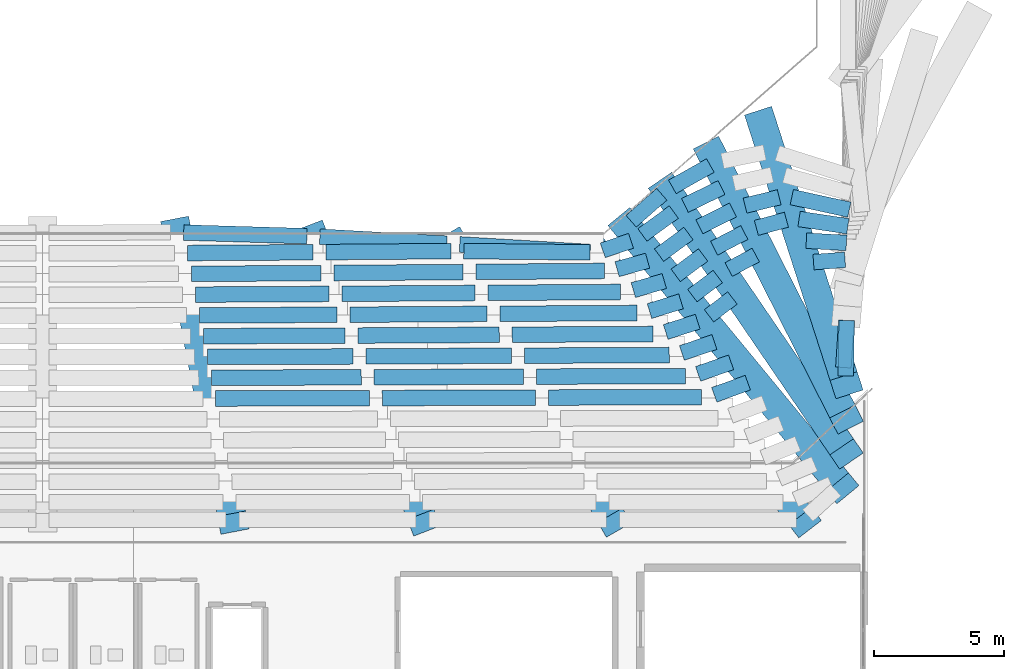
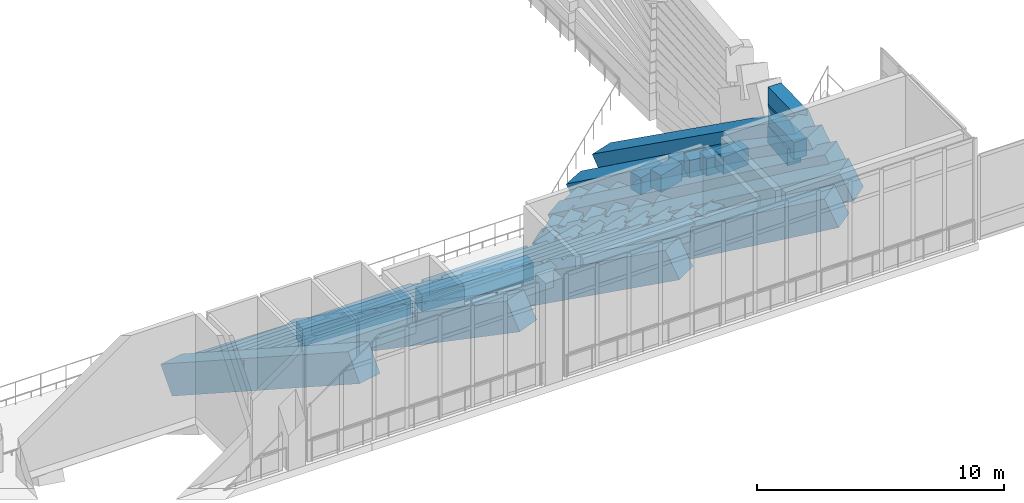
# One storey, part 15 of 55: 65 beams.
"""IFC4 building model written with IfcOpenShell, lengths in metres."""

from ifc_helpers import new_model, si_unit, derived_unit, direction, frame, origin, origin_2d, place, context, subcontext, project, spatial, rectangle, extrude, material, material_profile, profile_set, type_object, element, save


model = new_model("IFC4")

# Units and contexts
model_context = context("Model", 3, precision=1e-05, world=origin(), true_north=direction((0.0, 1.0)))
body_context = subcontext(model_context, "Body", "Model", "MODEL_VIEW")
ifc_project = project(units=[si_unit("LENGTHUNIT", "METRE"), si_unit("AREAUNIT", "SQUARE_METRE"), si_unit("VOLUMEUNIT", "CUBIC_METRE"), si_unit("PLANEANGLEUNIT", "RADIAN"), si_unit("MASSUNIT", "GRAM", prefix="KILO"), derived_unit("THERMALTRANSMITTANCEUNIT", [(si_unit("MASSUNIT", "GRAM", prefix="KILO"), 1), (si_unit("TIMEUNIT", "SECOND"), -3), (si_unit("THERMODYNAMICTEMPERATUREUNIT", "KELVIN"), -1)])], contexts=[model_context])

# Site, building, storey
site_placement = place(None, origin())
site = spatial("IfcSite", under=ifc_project, at=site_placement, CompositionType="ELEMENT")
building_placement = place(site_placement, origin())
building = spatial("IfcBuilding", under=site, at=building_placement, Name="Valcora Ridge Arena", CompositionType="ELEMENT")
storey_placement = place(building_placement, frame((0.0, 0.0, 21.0)))
storey = spatial("IfcBuildingStorey", under=building, at=storey_placement, Name="L04", CompositionType="ELEMENT", Elevation=21.0)

# Beams
ifc_material_1 = material(Name="Concrete C40/50", Category="concrete")
ifc_material_profile_1 = material_profile(ifc_material_1, rectangle(XDim=0.60009765625, YDim=0.85009765625, at=origin_2d()), Name="RC 600x850")
ifc_profile_set_1 = profile_set([ifc_material_profile_1], Name="Concrete C40/50")
beam_type_1 = type_object("IfcBeamType", Name="TY-BEAM-B-RC600-X", PredefinedType="BEAM", material=ifc_profile_set_1)
beam_1_placement = place(storey_placement, frame((63.44091796875, 38.487060546875, -8.22509765625), z_axis=(0.999569750047, -0.029331123248, 0.0), x_axis=(0.029331123248, 0.999569750047, 0.0)))
element("IfcBeam", 1, at=beam_1_placement, inside=storey, type_object=beam_type_1, Name="B-RC600-X BEM-RU3-B-RC600-X-0012", PredefinedType="BEAM", context=body_context, shape_type="SweptSolid", body=[
    extrude(rectangle(XDim=0.60009765625, YDim=0.85009765625, at=origin_2d()), origin(), (0.0, 0.0, 1.0), 4.752685546875),
])
beam_2_placement = place(storey_placement, frame((68.691162109375, 38.32666015625, -8.22509765625), z_axis=(0.998486603928, -0.054995470502, 0.0), x_axis=(0.054995470502, 0.998486603928, 0.0)))
element("IfcBeam", 2, at=beam_2_placement, inside=storey, type_object=beam_type_1, Name="B-RC600-X BEM-RU3-B-RC600-X-0013", PredefinedType="BEAM", context=body_context, shape_type="SweptSolid", body=[
    extrude(rectangle(XDim=0.60009765625, YDim=0.85009765625, at=origin_2d()), origin(), (0.0, 0.0, 1.0), 4.90087890625),
])
beam_3_placement = place(storey_placement, frame((74.083984375, 38.028564453125, -8.22509765625), z_axis=(0.998276711719, -0.058682253186, 0.0), x_axis=(0.058682253186, 0.998276711719, 0.0)))
element("IfcBeam", 3, at=beam_3_placement, inside=storey, type_object=beam_type_1, Name="B-RC600-X BEM-RU3-B-RC600-X-0014", PredefinedType="BEAM", context=body_context, shape_type="SweptSolid", body=[
    extrude(rectangle(XDim=0.60009765625, YDim=0.85009765625, at=origin_2d()), origin(), (0.0, 0.0, 1.0), 5.038330078125),
])
beam_4_placement = place(storey_placement, frame((80.693359375, 38.922607421875, -8.22509765625), z_axis=(0.751873918572, 0.659306916823, 0.0), x_axis=(-0.659306916823, 0.751873918572, 0.0)))
element("IfcBeam", 4, at=beam_4_placement, inside=storey, type_object=beam_type_1, Name="B-RC600-X BEM-RU3-B-RC600-X-0015", PredefinedType="BEAM", context=body_context, shape_type="SweptSolid", body=[
    extrude(rectangle(XDim=0.60009765625, YDim=0.85009765625, at=origin_2d()), origin(), (0.0, 0.0, 1.0), 1.572021484375),
])
beam_5_placement = place(storey_placement, frame((82.28125, 40.24658203125, -8.22509765625), z_axis=(0.871567775665, 0.490275037528, 0.0), x_axis=(-0.490275037528, 0.871567775665, 0.0)))
element("IfcBeam", 5, at=beam_5_placement, inside=storey, type_object=beam_type_1, Name="B-RC600-X BEM-RU3-B-RC600-X-0016", PredefinedType="BEAM", context=body_context, shape_type="SweptSolid", body=[
    extrude(rectangle(XDim=0.60009765625, YDim=0.85009765625, at=origin_2d()), origin(), (0.0, 0.0, 1.0), 1.68017578125),
])
beam_6_placement = place(storey_placement, frame((63.595703125, 37.69482421875, -7.7451171875), z_axis=(0.999978762062, 0.006517317249, 0.0), x_axis=(-0.006517317249, 0.999978762062, 0.0)))
element("IfcBeam", 6, at=beam_6_placement, inside=storey, type_object=beam_type_1, Name="B-RC600-X BEM-RU3-B-RC600-X-0060", PredefinedType="BEAM", context=body_context, shape_type="SweptSolid", body=[
    extrude(rectangle(XDim=0.60009765625, YDim=0.85009765625, at=origin_2d()), origin(), (0.0, 0.0, 1.0), 4.832275390625),
])
beam_7_placement = place(storey_placement, frame((68.927978515625, 37.72998046875, -7.7451171875), z_axis=(0.999964118208, 0.008471263011, 0.0), x_axis=(-0.008471263011, 0.999964118208, 0.0)))
element("IfcBeam", 7, at=beam_7_placement, inside=storey, type_object=beam_type_1, Name="B-RC600-X BEM-RU3-B-RC600-X-0061", PredefinedType="BEAM", context=body_context, shape_type="SweptSolid", body=[
    extrude(rectangle(XDim=0.60009765625, YDim=0.85009765625, at=origin_2d()), origin(), (0.0, 0.0, 1.0), 4.81298828125),
])
beam_8_placement = place(storey_placement, frame((74.24072265625, 37.770263671875, -7.7451171875), z_axis=(0.999948270549, -0.010171343334, 0.0), x_axis=(0.010171343334, 0.999948270549, 0.0)))
element("IfcBeam", 8, at=beam_8_placement, inside=storey, type_object=beam_type_1, Name="B-RC600-X BEM-RU3-B-RC600-X-0062", PredefinedType="BEAM", context=body_context, shape_type="SweptSolid", body=[
    extrude(rectangle(XDim=0.60009765625, YDim=0.85009765625, at=origin_2d()), origin(), (0.0, 0.0, 1.0), 4.87255859375),
])
beam_9_placement = place(storey_placement, frame((79.599853515625, 37.798583984375, -7.7451171875), z_axis=(0.947099805881, 0.320939180688, 0.0), x_axis=(-0.320939180688, 0.947099805881, 0.0)))
element("IfcBeam", 9, at=beam_9_placement, inside=storey, type_object=beam_type_1, Name="B-RC600-X BEM-RU3-B-RC600-X-0063", PredefinedType="BEAM", context=body_context, shape_type="SweptSolid", body=[
    extrude(rectangle(XDim=0.60009765625, YDim=0.85009765625, at=origin_2d()), origin(), (0.0, 0.0, 1.0), 1.1494140625),
])
beam_10_placement = place(storey_placement, frame((81.12744140625, 38.394775390625, -7.7451171875), z_axis=(0.808848831066, 0.588016639631, 0.0), x_axis=(-0.588016639631, 0.808848831066, 0.0)))
element("IfcBeam", 10, at=beam_10_placement, inside=storey, type_object=beam_type_1, Name="B-RC600-X BEM-RU3-B-RC600-X-0064", PredefinedType="BEAM", context=body_context, shape_type="SweptSolid", body=[
    extrude(rectangle(XDim=0.60009765625, YDim=0.85009765625, at=origin_2d()), origin(), (0.0, 0.0, 1.0), 1.498046875),
])
beam_11_placement = place(storey_placement, frame((82.76611328125, 39.531982421875, -7.7451171875), z_axis=(0.89916563474, 0.437608456617, 0.0), x_axis=(-0.437608456617, 0.89916563474, 0.0)))
element("IfcBeam", 11, at=beam_11_placement, inside=storey, type_object=beam_type_1, Name="B-RC600-X BEM-RU3-B-RC600-X-0065", PredefinedType="BEAM", context=body_context, shape_type="SweptSolid", body=[
    extrude(rectangle(XDim=0.60009765625, YDim=0.85009765625, at=origin_2d()), origin(), (0.0, 0.0, 1.0), 1.56982421875),
])
beam_12_placement = place(storey_placement, frame((63.75, 36.893798828125, -7.264892578125), z_axis=(0.99998332037, 0.005775723534, 0.0), x_axis=(-0.005775723534, 0.99998332037, 0.0)))
element("IfcBeam", 12, at=beam_12_placement, inside=storey, type_object=beam_type_1, Name="B-RC600-X BEM-RU3-B-RC600-X-0111", PredefinedType="BEAM", context=body_context, shape_type="SweptSolid", body=[
    extrude(rectangle(XDim=0.60009765625, YDim=0.85009765625, at=origin_2d()), origin(), (0.0, 0.0, 1.0), 4.98779296875),
])
beam_13_placement = place(storey_placement, frame((69.23779296875, 36.926025390625, -7.264892578125), z_axis=(0.999971386878, 0.007564748911, 0.0), x_axis=(-0.007564748911, 0.999971386878, 0.0)))
element("IfcBeam", 13, at=beam_13_placement, inside=storey, type_object=beam_type_1, Name="B-RC600-X BEM-RU3-B-RC600-X-0112", PredefinedType="BEAM", context=body_context, shape_type="SweptSolid", body=[
    extrude(rectangle(XDim=0.60009765625, YDim=0.85009765625, at=origin_2d()), origin(), (0.0, 0.0, 1.0), 4.97021484375),
])
beam_14_placement = place(storey_placement, frame((74.707763671875, 36.967529296875, -7.264892578125), z_axis=(0.999970825227, 0.007638631803, 0.0), x_axis=(-0.007638631803, 0.999970825227, 0.0)))
element("IfcBeam", 14, at=beam_14_placement, inside=storey, type_object=beam_type_1, Name="B-RC600-X BEM-RU3-B-RC600-X-0113", PredefinedType="BEAM", context=body_context, shape_type="SweptSolid", body=[
    extrude(rectangle(XDim=0.60009765625, YDim=0.85009765625, at=origin_2d()), origin(), (0.0, 0.0, 1.0), 4.9541015625),
])
beam_15_placement = place(storey_placement, frame((80.15234375, 37.07421875, -7.264892578125), z_axis=(0.963618234463, 0.267282431541, 0.0), x_axis=(-0.267282431541, 0.963618234463, 0.0)))
element("IfcBeam", 15, at=beam_15_placement, inside=storey, type_object=beam_type_1, Name="B-RC600-X BEM-RU3-B-RC600-X-0114", PredefinedType="BEAM", context=body_context, shape_type="SweptSolid", body=[
    extrude(rectangle(XDim=0.60009765625, YDim=0.85009765625, at=origin_2d()), origin(), (0.0, 0.0, 1.0), 1.219482421875),
])
beam_16_placement = place(storey_placement, frame((81.77001953125, 37.614990234375, -7.264892578125), z_axis=(0.806040655249, 0.591860171059, 0.0), x_axis=(-0.591860171059, 0.806040655249, 0.0)))
element("IfcBeam", 16, at=beam_16_placement, inside=storey, type_object=beam_type_1, Name="B-RC600-X BEM-RU3-B-RC600-X-0115", PredefinedType="BEAM", context=body_context, shape_type="SweptSolid", body=[
    extrude(rectangle(XDim=0.60009765625, YDim=0.85009765625, at=origin_2d()), origin(), (0.0, 0.0, 1.0), 1.406494140625),
])
beam_17_placement = place(storey_placement, frame((83.3291015625, 38.707275390625, -7.264892578125), z_axis=(0.894257727757, 0.447552361571, 0.0), x_axis=(-0.447552361571, 0.894257727757, 0.0)))
element("IfcBeam", 17, at=beam_17_placement, inside=storey, type_object=beam_type_1, Name="B-RC600-X BEM-RU3-B-RC600-X-0116", PredefinedType="BEAM", context=body_context, shape_type="SweptSolid", body=[
    extrude(rectangle(XDim=0.60009765625, YDim=0.85009765625, at=origin_2d()), origin(), (0.0, 0.0, 1.0), 1.441162109375),
])
beam_18_placement = place(storey_placement, frame((85.084228515625, 39.523681640625, -7.264892578125), z_axis=(0.971224212148, 0.238167020675, 0.0), x_axis=(-0.238167020675, 0.971224212148, 0.0)))
element("IfcBeam", 18, at=beam_18_placement, inside=storey, type_object=beam_type_1, Name="B-RC600-X BEM-RU3-B-RC600-X-0117", PredefinedType="BEAM", context=body_context, shape_type="SweptSolid", body=[
    extrude(rectangle(XDim=0.60009765625, YDim=0.85009765625, at=origin_2d()), origin(), (0.0, 0.0, 1.0), 1.355224609375),
])
beam_19_placement = place(storey_placement, frame((86.887451171875, 39.8525390625, -7.264892578125), z_axis=(0.976900017396, -0.213696878805, 0.0), x_axis=(0.213696878805, 0.976900017396, 0.0)))
element("IfcBeam", 19, at=beam_19_placement, inside=storey, type_object=beam_type_1, Name="B-RC600-X BEM-RU3-B-RC600-X-0118", PredefinedType="BEAM", context=body_context, shape_type="SweptSolid", body=[
    extrude(rectangle(XDim=0.60009765625, YDim=0.85009765625, at=origin_2d()), origin(), (0.0, 0.0, 1.0), 2.271240234375),
])
beam_20_placement = place(storey_placement, frame((63.904541015625, 36.092529296875, -6.784912109375), z_axis=(0.999986615292, 0.005173899514, 0.0), x_axis=(-0.005173899514, 0.999986615292, 0.0)))
element("IfcBeam", 20, at=beam_20_placement, inside=storey, type_object=beam_type_1, Name="B-RC600-X BEM-RU3-B-RC600-X-0161", PredefinedType="BEAM", context=body_context, shape_type="SweptSolid", body=[
    extrude(rectangle(XDim=0.60009765625, YDim=0.85009765625, at=origin_2d()), origin(), (0.0, 0.0, 1.0), 5.143310546875),
])
beam_21_placement = place(storey_placement, frame((69.5478515625, 36.122314453125, -6.784912109375), z_axis=(0.999977459946, 0.006714134374, 0.0), x_axis=(-0.006714134374, 0.999977459946, 0.0)))
element("IfcBeam", 21, at=beam_21_placement, inside=storey, type_object=beam_type_1, Name="B-RC600-X BEM-RU3-B-RC600-X-0162", PredefinedType="BEAM", context=body_context, shape_type="SweptSolid", body=[
    extrude(rectangle(XDim=0.60009765625, YDim=0.85009765625, at=origin_2d()), origin(), (0.0, 0.0, 1.0), 5.126953125),
])
beam_22_placement = place(storey_placement, frame((75.1748046875, 36.16015625, -6.784912109375), z_axis=(0.999976680727, 0.006829202223, 0.0), x_axis=(-0.006829202223, 0.999976680727, 0.0)))
element("IfcBeam", 22, at=beam_22_placement, inside=storey, type_object=beam_type_1, Name="B-RC600-X BEM-RU3-B-RC600-X-0163", PredefinedType="BEAM", context=body_context, shape_type="SweptSolid", body=[
    extrude(rectangle(XDim=0.60009765625, YDim=0.85009765625, at=origin_2d()), origin(), (0.0, 0.0, 1.0), 5.112060546875),
])
beam_23_placement = place(storey_placement, frame((80.77685546875, 36.266845703125, -6.784912109375), z_axis=(0.959848260942, 0.280519724739, 0.0), x_axis=(-0.280519724739, 0.959848260942, 0.0)))
element("IfcBeam", 23, at=beam_23_placement, inside=storey, type_object=beam_type_1, Name="B-RC600-X BEM-RU3-B-RC600-X-0164", PredefinedType="BEAM", context=body_context, shape_type="SweptSolid", body=[
    extrude(rectangle(XDim=0.60009765625, YDim=0.85009765625, at=origin_2d()), origin(), (0.0, 0.0, 1.0), 1.24462890625),
])
beam_24_placement = place(storey_placement, frame((82.412109375, 36.835205078125, -6.784912109375), z_axis=(0.803106621229, 0.595835342136, 0.0), x_axis=(-0.595835342136, 0.803106621229, 0.0)))
element("IfcBeam", 24, at=beam_24_placement, inside=storey, type_object=beam_type_1, Name="B-RC600-X BEM-RU3-B-RC600-X-0165", PredefinedType="BEAM", context=body_context, shape_type="SweptSolid", body=[
    extrude(rectangle(XDim=0.60009765625, YDim=0.85009765625, at=origin_2d()), origin(), (0.0, 0.0, 1.0), 1.315673828125),
])
beam_25_placement = place(storey_placement, frame((83.8916015625, 37.8828125, -6.784912109375), z_axis=(0.888398102604, 0.459073862564, 0.0), x_axis=(-0.459073862564, 0.888398102604, 0.0)))
element("IfcBeam", 25, at=beam_25_placement, inside=storey, type_object=beam_type_1, Name="B-RC600-X BEM-RU3-B-RC600-X-0166", PredefinedType="BEAM", context=body_context, shape_type="SweptSolid", body=[
    extrude(rectangle(XDim=0.60009765625, YDim=0.85009765625, at=origin_2d()), origin(), (0.0, 0.0, 1.0), 1.31298828125),
])
beam_26_placement = place(storey_placement, frame((85.521240234375, 38.665771484375, -6.784912109375), z_axis=(0.964895151549, 0.262635387023, 0.0), x_axis=(-0.262635387023, 0.964895151549, 0.0)))
element("IfcBeam", 26, at=beam_26_placement, inside=storey, type_object=beam_type_1, Name="B-RC600-X BEM-RU3-B-RC600-X-0167", PredefinedType="BEAM", context=body_context, shape_type="SweptSolid", body=[
    extrude(rectangle(XDim=0.60009765625, YDim=0.85009765625, at=origin_2d()), origin(), (0.0, 0.0, 1.0), 1.2001953125),
])
beam_27_placement = place(storey_placement, frame((87.167724609375, 39.009765625, -6.784912109375), z_axis=(0.989108867019, -0.147185764202, 0.0), x_axis=(0.147185764202, 0.989108867019, 0.0)))
element("IfcBeam", 27, at=beam_27_placement, inside=storey, type_object=beam_type_1, Name="B-RC600-X BEM-RU3-B-RC600-X-0168", PredefinedType="BEAM", context=body_context, shape_type="SweptSolid", body=[
    extrude(rectangle(XDim=0.60009765625, YDim=0.85009765625, at=origin_2d()), origin(), (0.0, 0.0, 1.0), 1.902587890625),
])
beam_28_placement = place(storey_placement, frame((64.05908203125, 35.291259765625, -6.304931640625), z_axis=(0.999989385891, 0.004607396728, 0.0), x_axis=(-0.004607396728, 0.999989385891, 0.0)))
element("IfcBeam", 28, at=beam_28_placement, inside=storey, type_object=beam_type_1, Name="B-RC600-X BEM-RU3-B-RC600-X-0206", PredefinedType="BEAM", context=body_context, shape_type="SweptSolid", body=[
    extrude(rectangle(XDim=0.60009765625, YDim=0.85009765625, at=origin_2d()), origin(), (0.0, 0.0, 1.0), 5.298828125),
])
beam_29_placement = place(storey_placement, frame((69.85791015625, 35.318359375, -6.304931640625), z_axis=(0.999982237547, 0.005960250827, 0.0), x_axis=(-0.005960250827, 0.999982237547, 0.0)))
element("IfcBeam", 29, at=beam_29_placement, inside=storey, type_object=beam_type_1, Name="B-RC600-X BEM-RU3-B-RC600-X-0207", PredefinedType="BEAM", context=body_context, shape_type="SweptSolid", body=[
    extrude(rectangle(XDim=0.60009765625, YDim=0.85009765625, at=origin_2d()), origin(), (0.0, 0.0, 1.0), 5.283935546875),
])
beam_30_placement = place(storey_placement, frame((75.641845703125, 35.352783203125, -6.304931640625), z_axis=(0.99998186739, 0.006022033759, 0.0), x_axis=(-0.006022033759, 0.99998186739, 0.0)))
element("IfcBeam", 30, at=beam_30_placement, inside=storey, type_object=beam_type_1, Name="B-RC600-X BEM-RU3-B-RC600-X-0208", PredefinedType="BEAM", context=body_context, shape_type="SweptSolid", body=[
    extrude(rectangle(XDim=0.60009765625, YDim=0.85009765625, at=origin_2d()), origin(), (0.0, 0.0, 1.0), 5.270263671875),
])
beam_31_placement = place(storey_placement, frame((81.401123046875, 35.45947265625, -6.304931640625), z_axis=(0.956019721156, 0.293302391332, 0.0), x_axis=(-0.293302391332, 0.956019721156, 0.0)))
element("IfcBeam", 31, at=beam_31_placement, inside=storey, type_object=beam_type_1, Name="B-RC600-X BEM-RU3-B-RC600-X-0209", PredefinedType="BEAM", context=body_context, shape_type="SweptSolid", body=[
    extrude(rectangle(XDim=0.60009765625, YDim=0.85009765625, at=origin_2d()), origin(), (0.0, 0.0, 1.0), 1.270263671875),
])
beam_32_placement = place(storey_placement, frame((83.05419921875, 36.055419921875, -6.304931640625), z_axis=(0.799545279527, 0.600605815811, 0.0), x_axis=(-0.600605815811, 0.799545279527, 0.0)))
element("IfcBeam", 32, at=beam_32_placement, inside=storey, type_object=beam_type_1, Name="B-RC600-X BEM-RU3-B-RC600-X-0210", PredefinedType="BEAM", context=body_context, shape_type="SweptSolid", body=[
    extrude(rectangle(XDim=0.60009765625, YDim=0.85009765625, at=origin_2d()), origin(), (0.0, 0.0, 1.0), 1.224853515625),
])
beam_33_placement = place(storey_placement, frame((84.453857421875, 37.05908203125, -6.304931640625), z_axis=(0.881678996443, 0.471849708309, 0.0), x_axis=(-0.471849708309, 0.881678996443, 0.0)))
element("IfcBeam", 33, at=beam_33_placement, inside=storey, type_object=beam_type_1, Name="B-RC600-X BEM-RU3-B-RC600-X-0211", PredefinedType="BEAM", context=body_context, shape_type="SweptSolid", body=[
    extrude(rectangle(XDim=0.60009765625, YDim=0.85009765625, at=origin_2d()), origin(), (0.0, 0.0, 1.0), 1.184814453125),
])
beam_34_placement = place(storey_placement, frame((87.447265625, 38.17333984375, -6.304931640625), z_axis=(0.998424253213, -0.056116045807, 0.0), x_axis=(0.056116045807, 0.998424253213, 0.0)))
element("IfcBeam", 34, at=beam_34_placement, inside=storey, type_object=beam_type_1, Name="B-RC600-X BEM-RU3-B-RC600-X-0212", PredefinedType="BEAM", context=body_context, shape_type="SweptSolid", body=[
    extrude(rectangle(XDim=0.60009765625, YDim=0.85009765625, at=origin_2d()), origin(), (0.0, 0.0, 1.0), 1.548828125),
])
beam_35_placement = place(storey_placement, frame((64.21337890625, 34.490234375, -5.824951171875), z_axis=(0.999991885822, 0.004028435152, 0.0), x_axis=(-0.004028435152, 0.999991885822, 0.0)))
element("IfcBeam", 35, at=beam_35_placement, inside=storey, type_object=beam_type_1, Name="B-RC600-X BEM-RU3-B-RC600-X-0246", PredefinedType="BEAM", context=body_context, shape_type="SweptSolid", body=[
    extrude(rectangle(XDim=0.60009765625, YDim=0.85009765625, at=origin_2d()), origin(), (0.0, 0.0, 1.0), 5.454345703125),
])
beam_36_placement = place(storey_placement, frame((70.167724609375, 34.514404296875, -5.824951171875), z_axis=(0.999986220625, 0.005249624795, 0.0), x_axis=(-0.005249624795, 0.999986220625, 0.0)))
element("IfcBeam", 36, at=beam_36_placement, inside=storey, type_object=beam_type_1, Name="B-RC600-X BEM-RU3-B-RC600-X-0247", PredefinedType="BEAM", context=body_context, shape_type="SweptSolid", body=[
    extrude(rectangle(XDim=0.60009765625, YDim=0.85009765625, at=origin_2d()), origin(), (0.0, 0.0, 1.0), 5.441162109375),
])
beam_37_placement = place(storey_placement, frame((76.10888671875, 34.54541015625, -5.824951171875), z_axis=(0.999985919713, 0.00530663512, 0.0), x_axis=(-0.00530663512, 0.999985919713, 0.0)))
element("IfcBeam", 37, at=beam_37_placement, inside=storey, type_object=beam_type_1, Name="B-RC600-X BEM-RU3-B-RC600-X-0248", PredefinedType="BEAM", context=body_context, shape_type="SweptSolid", body=[
    extrude(rectangle(XDim=0.60009765625, YDim=0.85009765625, at=origin_2d()), origin(), (0.0, 0.0, 1.0), 5.4287109375),
])
beam_38_placement = place(storey_placement, frame((82.025390625, 34.65185546875, -5.824951171875), z_axis=(0.952110851119, 0.30575304934, 0.0), x_axis=(-0.30575304934, 0.952110851119, 0.0)))
element("IfcBeam", 38, at=beam_38_placement, inside=storey, type_object=beam_type_1, Name="B-RC600-X BEM-RU3-B-RC600-X-0249", PredefinedType="BEAM", context=body_context, shape_type="SweptSolid", body=[
    extrude(rectangle(XDim=0.60009765625, YDim=0.85009765625, at=origin_2d()), origin(), (0.0, 0.0, 1.0), 1.2958984375),
])
beam_39_placement = place(storey_placement, frame((83.6962890625, 35.276123046875, -5.824951171875), z_axis=(0.795767774675, 0.605601889685, 0.0), x_axis=(-0.605601889685, 0.795767774675, 0.0)))
element("IfcBeam", 39, at=beam_39_placement, inside=storey, type_object=beam_type_1, Name="B-RC600-X BEM-RU3-B-RC600-X-0250", PredefinedType="BEAM", context=body_context, shape_type="SweptSolid", body=[
    extrude(rectangle(XDim=0.60009765625, YDim=0.85009765625, at=origin_2d()), origin(), (0.0, 0.0, 1.0), 1.133544921875),
])
beam_40_placement = place(storey_placement, frame((87.72412109375, 37.346435546875, -5.824951171875), z_axis=(0.997428120225, 0.071673879374, 0.0), x_axis=(-0.071673879374, 0.997428120225, 0.0)))
element("IfcBeam", 40, at=beam_40_placement, inside=storey, type_object=beam_type_1, Name="B-RC600-X BEM-RU3-B-RC600-X-0251", PredefinedType="BEAM", context=body_context, shape_type="SweptSolid", body=[
    extrude(rectangle(XDim=0.60009765625, YDim=0.85009765625, at=origin_2d()), origin(), (0.0, 0.0, 1.0), 1.219482421875),
])
beam_41_placement = place(storey_placement, frame((64.367919921875, 33.689208984375, -5.344970703125), z_axis=(0.999994089886, 0.003438050879, 0.0), x_axis=(-0.003438050879, 0.999994089886, 0.0)))
element("IfcBeam", 41, at=beam_41_placement, inside=storey, type_object=beam_type_1, Name="B-RC600-X BEM-RU3-B-RC600-X-0282", PredefinedType="BEAM", context=body_context, shape_type="SweptSolid", body=[
    extrude(rectangle(XDim=0.60009765625, YDim=0.85009765625, at=origin_2d()), origin(), (0.0, 0.0, 1.0), 5.60986328125),
])
beam_42_placement = place(storey_placement, frame((70.477783203125, 33.71044921875, -5.344970703125), z_axis=(0.999989713687, 0.004535694109, 0.0), x_axis=(-0.004535694109, 0.999989713687, 0.0)))
element("IfcBeam", 42, at=beam_42_placement, inside=storey, type_object=beam_type_1, Name="B-RC600-X BEM-RU3-B-RC600-X-0283", PredefinedType="BEAM", context=body_context, shape_type="SweptSolid", body=[
    extrude(rectangle(XDim=0.60009765625, YDim=0.85009765625, at=origin_2d()), origin(), (0.0, 0.0, 1.0), 5.597900390625),
])
beam_43_placement = place(storey_placement, frame((76.57568359375, 33.738037109375, -5.344970703125), z_axis=(0.999989474568, 0.00458810989, 0.0), x_axis=(-0.00458810989, 0.999989474568, 0.0)))
element("IfcBeam", 43, at=beam_43_placement, inside=storey, type_object=beam_type_1, Name="B-RC600-X BEM-RU3-B-RC600-X-0284", PredefinedType="BEAM", context=body_context, shape_type="SweptSolid", body=[
    extrude(rectangle(XDim=0.60009765625, YDim=0.85009765625, at=origin_2d()), origin(), (0.0, 0.0, 1.0), 5.587158203125),
])
beam_44_placement = place(storey_placement, frame((82.64990234375, 33.84423828125, -5.344970703125), z_axis=(0.948072021383, 0.31805572196, 0.0), x_axis=(-0.31805572196, 0.948072021383, 0.0)))
element("IfcBeam", 44, at=beam_44_placement, inside=storey, type_object=beam_type_1, Name="B-RC600-X BEM-RU3-B-RC600-X-0285", PredefinedType="BEAM", context=body_context, shape_type="SweptSolid", body=[
    extrude(rectangle(XDim=0.60009765625, YDim=0.85009765625, at=origin_2d()), origin(), (0.0, 0.0, 1.0), 1.32177734375),
])
beam_45_placement = place(storey_placement, frame((64.5224609375, 32.8876953125, -4.864990234375), z_axis=(0.999995480318, 0.003006550036, 0.0), x_axis=(-0.003006550036, 0.999995480318, 0.0)))
element("IfcBeam", 45, at=beam_45_placement, inside=storey, type_object=beam_type_1, Name="B-RC600-X BEM-RU3-B-RC600-X-0313", PredefinedType="BEAM", context=body_context, shape_type="SweptSolid", body=[
    extrude(rectangle(XDim=0.60009765625, YDim=0.85009765625, at=origin_2d()), origin(), (0.0, 0.0, 1.0), 5.765380859375),
])
beam_46_placement = place(storey_placement, frame((70.787841796875, 32.90673828125, -4.864990234375), z_axis=(0.999992548305, 0.003860483705, 0.0), x_axis=(-0.003860483705, 0.999992548305, 0.0)))
element("IfcBeam", 46, at=beam_46_placement, inside=storey, type_object=beam_type_1, Name="B-RC600-X BEM-RU3-B-RC600-X-0314", PredefinedType="BEAM", context=body_context, shape_type="SweptSolid", body=[
    extrude(rectangle(XDim=0.60009765625, YDim=0.85009765625, at=origin_2d()), origin(), (0.0, 0.0, 1.0), 5.7548828125),
])
beam_47_placement = place(storey_placement, frame((77.042724609375, 32.930908203125, -4.864990234375), z_axis=(0.999992523586, 0.003866881386, 0.0), x_axis=(-0.003866881386, 0.999992523586, 0.0)))
element("IfcBeam", 47, at=beam_47_placement, inside=storey, type_object=beam_type_1, Name="B-RC600-X BEM-RU3-B-RC600-X-0315", PredefinedType="BEAM", context=body_context, shape_type="SweptSolid", body=[
    extrude(rectangle(XDim=0.60009765625, YDim=0.85009765625, at=origin_2d()), origin(), (0.0, 0.0, 1.0), 5.745361328125),
])
beam_48_placement = place(storey_placement, frame((83.274169921875, 33.03662109375, -4.864990234375), z_axis=(0.944058639629, 0.329777629535, 0.0), x_axis=(-0.329777629535, 0.944058639629, 0.0)))
element("IfcBeam", 48, at=beam_48_placement, inside=storey, type_object=beam_type_1, Name="B-RC600-X BEM-RU3-B-RC600-X-0316", PredefinedType="BEAM", context=body_context, shape_type="SweptSolid", body=[
    extrude(rectangle(XDim=0.60009765625, YDim=0.85009765625, at=origin_2d()), origin(), (0.0, 0.0, 1.0), 1.34814453125),
])
beam_49_placement = place(storey_placement, frame((64.677001953125, 32.086669921875, -4.385009765625), z_axis=(0.999996836757, 0.002515248517, 0.0), x_axis=(-0.002515248517, 0.999996836757, 0.0)))
element("IfcBeam", 49, at=beam_49_placement, inside=storey, type_object=beam_type_1, Name="B-RC600-X BEM-RU3-B-RC600-X-0343", PredefinedType="BEAM", context=body_context, shape_type="SweptSolid", body=[
    extrude(rectangle(XDim=0.60009765625, YDim=0.85009765625, at=origin_2d()), origin(), (0.0, 0.0, 1.0), 5.9208984375),
])
beam_50_placement = place(storey_placement, frame((71.097900390625, 32.102783203125, -4.385009765625), z_axis=(0.999994812156, 0.003221127208, 0.0), x_axis=(-0.003221127208, 0.999994812156, 0.0)))
element("IfcBeam", 50, at=beam_50_placement, inside=storey, type_object=beam_type_1, Name="B-RC600-X BEM-RU3-B-RC600-X-0344", PredefinedType="BEAM", context=body_context, shape_type="SweptSolid", body=[
    extrude(rectangle(XDim=0.60009765625, YDim=0.85009765625, at=origin_2d()), origin(), (0.0, 0.0, 1.0), 5.911865234375),
])
beam_51_placement = place(storey_placement, frame((77.509765625, 32.12353515625, -4.385009765625), z_axis=(0.999994797988, 0.003225522878, 0.0), x_axis=(-0.003225522878, 0.999994797988, 0.0)))
element("IfcBeam", 51, at=beam_51_placement, inside=storey, type_object=beam_type_1, Name="B-RC600-X BEM-RU3-B-RC600-X-0345", PredefinedType="BEAM", context=body_context, shape_type="SweptSolid", body=[
    extrude(rectangle(XDim=0.60009765625, YDim=0.85009765625, at=origin_2d()), origin(), (0.0, 0.0, 1.0), 5.90380859375),
])
beam_52_placement = place(storey_placement, frame((83.8984375, 32.228759765625, -4.385009765625), z_axis=(0.939948873633, 0.341315272081, 0.0), x_axis=(-0.341315272081, 0.939948873633, 0.0)))
element("IfcBeam", 52, at=beam_52_placement, inside=storey, type_object=beam_type_1, Name="B-RC600-X BEM-RU3-B-RC600-X-0346", PredefinedType="BEAM", context=body_context, shape_type="SweptSolid", body=[
    extrude(rectangle(XDim=0.60009765625, YDim=0.85009765625, at=origin_2d()), origin(), (0.0, 0.0, 1.0), 1.374755859375),
])
beam_53_placement = place(storey_placement, frame((88.875732421875, 33.283935546875, -3.425048828125), z_axis=(0.064127468457, 0.997941715627, 0.0), x_axis=(-0.997941715627, 0.064127468457, 0.0)))
element("IfcBeam", 53, at=beam_53_placement, inside=storey, type_object=beam_type_1, Name="B-RC600-X BEM-RU3-B-RC600-X-0407", PredefinedType="BEAM", context=body_context, shape_type="SweptSolid", body=[
    extrude(rectangle(XDim=0.60009765625, YDim=0.85009765625, at=origin_2d()), origin(), (0.0, 0.0, 1.0), 1.81591796875),
])
for number, where, z_axis, x_axis, name in (
    (54, (88.970947265625, 32.952392578125, -2.945068359375), (0.015603522189, 0.999878257637, 0.0), (-0.999878257637, 0.015603522189, 0.0), "B-RC600-X BEM-RU3-B-RC600-X-0439"),
    (55, (88.970947265625, 32.952392578125, -2.465087890625), (0.015603522189, 0.999878257637, 0.0), (-0.999878257637, 0.015603522189, 0.0), "B-RC600-X BEM-RU3-B-RC600-X-0471"),
    (56, (88.970947265625, 32.952392578125, -1.985107421875), (0.015603522189, 0.999878257637, 0.0), (-0.999878257637, 0.015603522189, 0.0), "B-RC600-X BEM-RU3-B-RC600-X-0503"),
    (57, (88.970947265625, 32.952392578125, -1.5048828125), (0.015603522189, 0.999878257637, 0.0), (-0.999878257637, 0.015603522189, 0.0), "B-RC600-X BEM-RU3-B-RC600-X-0535"),
):
    element("IfcBeam", number, at=place(storey_placement, frame(where, z_axis=z_axis, x_axis=x_axis)), inside=storey, type_object=beam_type_1, Name=name, PredefinedType="BEAM", context=body_context, shape_type="SweptSolid", body=[
        extrude(rectangle(XDim=0.60009765625, YDim=0.85009765625, at=origin_2d()), origin(), (0.0, 0.0, 1.0), 2.1435546875),
    ])
ifc_material_2 = material(Name="Concrete C45/55", Category="concrete")
ifc_material_profile_2 = material_profile(ifc_material_2, rectangle(XDim=1.10009765625, YDim=1.39990234375, at=origin_2d()), Name="RC 1100x1400")
ifc_profile_set_2 = profile_set([ifc_material_profile_2], Name="Concrete C45/55")
beam_type_2 = type_object("IfcBeamType", Name="TY-BEAM-RKR-UPP-1400", PredefinedType="USERDEFINED", material=ifc_profile_set_2)
beam_54_placement = place(storey_placement, frame((63.1572265625, 38.66943359375, -8.52001953125), z_axis=(0.163674872432, -0.848605559372, 0.503069717571), x_axis=(0.981902980966, 0.189384624429, 0.0)))
element("IfcBeam", 58, at=beam_54_placement, inside=storey, type_object=beam_type_2, Name="RKR-UPP-1400 BEM-RK-RKR-UPP-1400-0006", ObjectType="RAKER", PredefinedType="USERDEFINED", context=body_context, shape_type="SweptSolid", body=[
    extrude(rectangle(XDim=1.10009765625, YDim=1.39990234375, at=origin_2d()), origin(), (0.0, 0.0, 1.0), 13.397705078125),
])
beam_55_placement = place(storey_placement, frame((68.398681640625, 38.451904296875, -8.52001953125), z_axis=(0.313458761983, -0.812701176631, 0.491182656492), x_axis=(0.933006165086, 0.359860383915, 0.0)))
element("IfcBeam", 59, at=beam_55_placement, inside=storey, type_object=beam_type_2, Name="RKR-UPP-1400 BEM-RK-RKR-UPP-1400-0007", ObjectType="RAKER", PredefinedType="USERDEFINED", context=body_context, shape_type="SweptSolid", body=[
    extrude(rectangle(XDim=1.10009765625, YDim=1.39990234375, at=origin_2d()), origin(), (0.0, 0.0, 1.0), 13.721923828125),
])
beam_56_placement = place(storey_placement, frame((73.771484375, 38.15185546875, -8.52001953125), z_axis=(0.441093241789, -0.762381051611, 0.473510173273), x_axis=(0.865566685164, 0.500793683601, 0.0)))
element("IfcBeam", 60, at=beam_56_placement, inside=storey, type_object=beam_type_2, Name="RKR-UPP-1400 BEM-RK-RKR-UPP-1400-0008", ObjectType="RAKER", PredefinedType="USERDEFINED", context=body_context, shape_type="SweptSolid", body=[
    extrude(rectangle(XDim=1.10009765625, YDim=1.39990234375, at=origin_2d()), origin(), (0.0, 0.0, 1.0), 14.234130859375),
])
beam_57_placement = place(storey_placement, frame((79.281982421875, 37.823486328125, -8.52001953125), z_axis=(0.544752216545, -0.706174236623, 0.452286380625), x_axis=(0.791788093451, 0.610795886585, 0.0)))
element("IfcBeam", 61, at=beam_57_placement, inside=storey, type_object=beam_type_2, Name="RKR-UPP-1400 BEM-RK-RKR-UPP-1400-0009", ObjectType="RAKER", PredefinedType="USERDEFINED", context=body_context, shape_type="SweptSolid", body=[
    extrude(rectangle(XDim=1.10009765625, YDim=1.39990234375, at=origin_2d()), origin(), (0.0, 0.0, 1.0), 14.902099609375),
])
beam_58_placement = place(storey_placement, frame((80.421142578125, 38.860107421875, -8.52001953125), z_axis=(0.566695277854, -0.688126462953, 0.453142839557), x_axis=(0.771928641086, 0.635709189073, 0.0)))
element("IfcBeam", 62, at=beam_58_placement, inside=storey, type_object=beam_type_2, Name="RKR-UPP-1400 BEM-RK-RKR-UPP-1400-0010", ObjectType="RAKER", PredefinedType="USERDEFINED", context=body_context, shape_type="SweptSolid", body=[
    extrude(rectangle(XDim=1.10009765625, YDim=1.39990234375, at=origin_2d()), origin(), (0.0, 0.0, 1.0), 14.873779296875),
])
beam_59_placement = place(storey_placement, frame((81.9931640625, 40.226806640625, -8.52001953125), z_axis=(0.49528854236, -0.726434700422, 0.476426159893), x_axis=(0.826231495447, 0.563330734055, 0.0)))
element("IfcBeam", 63, at=beam_59_placement, inside=storey, type_object=beam_type_2, Name="RKR-UPP-1400 BEM-RK-RKR-UPP-1400-0011", ObjectType="RAKER", PredefinedType="USERDEFINED", context=body_context, shape_type="SweptSolid", body=[
    extrude(rectangle(XDim=1.10009765625, YDim=1.39990234375, at=origin_2d()), origin(), (0.0, 0.0, 1.0), 14.14697265625),
])
beam_60_placement = place(storey_placement, frame((83.735107421875, 41.642578125, -8.52001953125), z_axis=(0.391731275149, -0.771400896382, 0.501485059728), x_axis=(0.891621520799, 0.452781474498, 0.0)))
element("IfcBeam", 64, at=beam_60_placement, inside=storey, type_object=beam_type_2, Name="RKR-UPP-1400 BEM-RK-RKR-UPP-1400-0012", ObjectType="RAKER", PredefinedType="USERDEFINED", context=body_context, shape_type="SweptSolid", body=[
    extrude(rectangle(XDim=1.10009765625, YDim=1.39990234375, at=origin_2d()), origin(), (0.0, 0.0, 1.0), 13.43994140625),
])
beam_61_placement = place(storey_placement, frame((85.699951171875, 42.830078125, -8.52001953125), z_axis=(0.260104281601, -0.806309803038, 0.531234660218), x_axis=(0.951707119268, 0.30700742521, 0.0)))
element("IfcBeam", 65, at=beam_61_placement, inside=storey, type_object=beam_type_2, Name="RKR-UPP-1400 BEM-RK-RKR-UPP-1400-0013", ObjectType="RAKER", PredefinedType="USERDEFINED", context=body_context, shape_type="SweptSolid", body=[
    extrude(rectangle(XDim=1.10009765625, YDim=1.39990234375, at=origin_2d()), origin(), (0.0, 0.0, 1.0), 12.6875),
])

save(model, "model.ifc")
